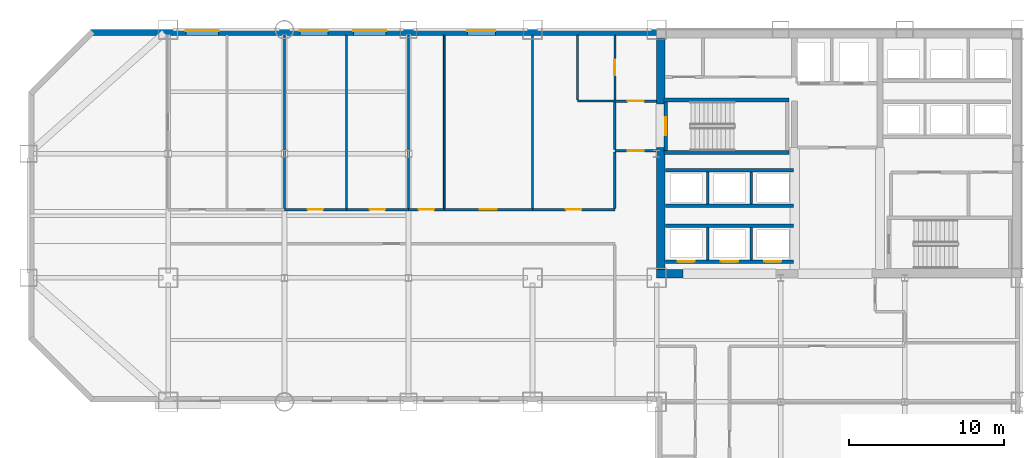
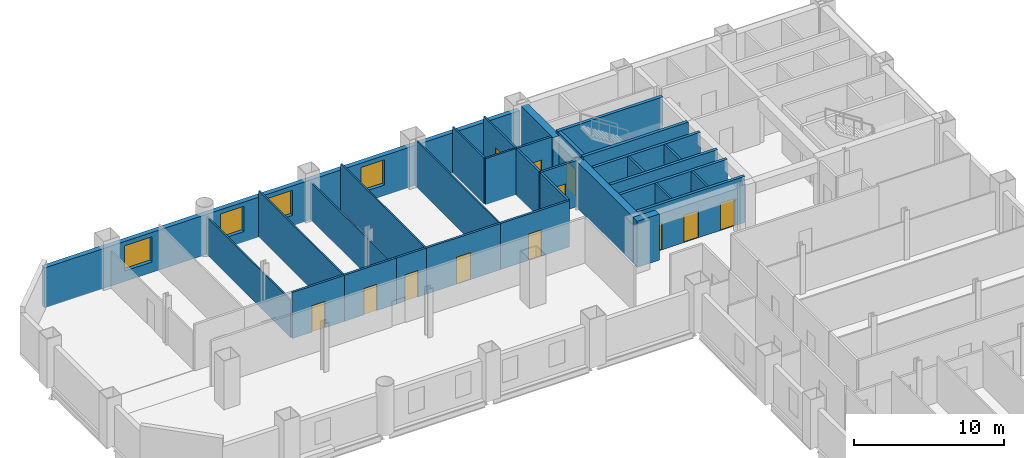
# One storey, part 6 of 9: 32 walls, 12 doors, 4 windows, 16 openings.
"""IFC4 building model written with IfcOpenShell, lengths in metres."""

from ifc_helpers import new_model, si_unit, direction, frame, frame_2d, origin, place, context, subcontext, project, spatial, rectangle, extrude, material, layer, layer_set, type_object, element, fill, save


model = new_model("IFC4")

# Units and contexts
model_context = context("Model", 3, precision=1e-05, world=origin(), true_north=direction((0.0, 1.0)))
body_context = subcontext(model_context, "Body", "Model", "MODEL_VIEW")
ifc_project = project(units=[si_unit("LENGTHUNIT", "METRE"), si_unit("AREAUNIT", "SQUARE_METRE"), si_unit("VOLUMEUNIT", "CUBIC_METRE"), si_unit("PLANEANGLEUNIT", "RADIAN"), si_unit("MASSUNIT", "GRAM", prefix="KILO")], contexts=[model_context])

# Site, building, storey
site_placement = place(None, origin())
site = spatial("IfcSite", under=ifc_project, at=site_placement, CompositionType="ELEMENT")
building_placement = place(site_placement, origin())
building = spatial("IfcBuilding", under=site, at=building_placement, Name="Qianrong Seaharbour Tower", CompositionType="ELEMENT")
storey_placement = place(building_placement, frame((0.0, 0.0, 32.199951171875)))
storey = spatial("IfcBuildingStorey", under=building, at=storey_placement, Name="L07", CompositionType="ELEMENT", Elevation=32.199951171875)

# Walls
ifc_material_1 = material(Name="Concrete C70/85", Category="concrete")
ifc_layer_1 = layer(ifc_material_1, 0.5400390625)
ifc_layer_set_1 = layer_set([ifc_layer_1], Name="Concrete C70/85")
wall_type_1 = type_object("IfcWallType", Name="WALL-CORE-540", PredefinedType="SHEAR", material=ifc_layer_set_1)
wall_1_placement = place(storey_placement, frame((40.77001953125, 36.5400390625, 0.0), z_axis=(0.0, 0.0, 1.0), x_axis=(0.0, 1.0, 0.0)))
element("IfcWall", 1, at=wall_1_placement, inside=storey, type_object=wall_type_1, Name="L07 West Core Shear Wall South", PredefinedType="SHEAR", context=body_context, shape_type="SweptSolid", body=[
    extrude(rectangle(XDim=7.85986328125, YDim=0.5400390625, at=frame_2d((3.929931640625, 0.0))), origin(), (0.0, 0.0, 1.0), 3.75),
])
wall_2_placement = place(storey_placement, frame((40.77001953125, 47.199951171875, 0.0), z_axis=(0.0, 0.0, 1.0), x_axis=(0.0, 1.0, 0.0)))
element("IfcWall", 2, at=wall_2_placement, inside=storey, type_object=wall_type_1, Name="L07 West Core Shear Wall North", PredefinedType="SHEAR", context=body_context, shape_type="SweptSolid", body=[
    extrude(rectangle(XDim=4.260009765625, YDim=0.5400390625, at=frame_2d((2.1298828125, 0.0))), origin(), (0.0, 0.0, 1.0), 3.75),
])
wall_3_placement = place(storey_placement, frame((40.5, 36.27001953125, 0.0), z_axis=(0.0, 0.0, 1.0), x_axis=(1.0, 0.0, 0.0)))
element("IfcWall", 3, at=wall_3_placement, inside=storey, type_object=wall_type_1, Name="L07 South Core Shear Wall S1", PredefinedType="SHEAR", context=body_context, shape_type="SweptSolid", body=[
    extrude(rectangle(XDim=1.699951171875, YDim=0.5400390625, at=frame_2d((0.85009765625, 0.0))), origin(), (0.0, 0.0, 1.0), 3.75),
])

# Wall, opening, door
ifc_material_2 = material(Name="Fire-rated acoustic gypsum board partition")
ifc_layer_2 = layer(ifc_material_2, 0.1650390625)
ifc_layer_set_2 = layer_set([ifc_layer_2], Name="Fire-rated acoustic gypsum board partition")
wall_type_2 = type_object("IfcWallType", Name="WALL-CORR-PART-165", PredefinedType="PARTITIONING", material=ifc_layer_set_2)
wall_4_placement = place(storey_placement, frame((37.800048828125, 47.39990234375, 0.0), z_axis=(0.0, 0.0, 1.0), x_axis=(1.0, 0.0, 0.0)))
wall_4 = element("IfcWall", 4, at=wall_4_placement, inside=storey, type_object=wall_type_2, Name="L07 Interior Partition Wall 001", PredefinedType="PARTITIONING", context=body_context, shape_type="SweptSolid", body=[
    extrude(rectangle(XDim=2.699951171875, YDim=0.1650390625, at=frame_2d((1.35009765625, 0.0))), origin(), (0.0, 0.0, 1.0), 3.75),
])
opening_1_placement = place(wall_4_placement, frame((0.824951171875, 0.0, 0.0)))
opening_1 = element("IfcOpeningElement", 5, at=opening_1_placement, cuts=wall_4, Name="Opening DC-01", PredefinedType="OPENING", context=body_context, shape_type="SweptSolid", body=[
    extrude(rectangle(XDim=1.050048828125, YDim=2.14990234375, at=frame_2d((0.52490234375, 1.074951171875))), frame((0.0, 0.092529296875, 0.0), z_axis=(0.0, -1.0, 0.0), x_axis=(1.0, 0.0, 0.0)), (0.0, 0.0, 1.0), 0.18505859375),
])
ifc_material_3 = material(Name="Acoustic timber and galvanized steel fire door assembly", Category="steel")
door_type_1 = type_object("IfcDoorType", Name="DOOR-CORR-FD60-1050x2150", OperationType="NOTDEFINED", PredefinedType="DOOR", material=ifc_material_3)
door_1_placement = place(opening_1_placement, origin())
door_1 = element("IfcDoor", 6, at=door_1_placement, inside=storey, type_object=door_type_1, Name="L07 Smokeproof Stair Vestibule ST-1 Door", OperationType="SINGLE_SWING_LEFT", OverallHeight=2.14990234375, OverallWidth=1.050048828125, PredefinedType="DOOR", context=body_context, shape_type="SweptSolid", body=[
    extrude(rectangle(XDim=1.050048828125, YDim=2.14990234375, at=frame_2d((0.52490234375, 1.074951171875))), frame((0.0, 0.02490234375, 0.0), z_axis=(0.0, -1.0, 0.0), x_axis=(1.0, 0.0, 0.0)), (0.0, 0.0, 1.0), 0.050048828125),
])
fill(opening_1, door_1)

wall_5_placement = place(storey_placement, frame((40.5, 44.199951171875, 0.0), z_axis=(0.0, 0.0, 1.0), x_axis=(-1.0, 0.0, 0.0)))
wall_5 = element("IfcWall", 7, at=wall_5_placement, inside=storey, type_object=wall_type_2, Name="L07 Interior Partition Wall 002", PredefinedType="PARTITIONING", context=body_context, shape_type="SweptSolid", body=[
    extrude(rectangle(XDim=2.699951171875, YDim=0.1650390625, at=frame_2d((1.35009765625, 0.0))), origin(), (0.0, 0.0, 1.0), 3.75),
])
opening_2_placement = place(wall_5_placement, frame((0.824951171875, 0.0, 0.0)))
opening_2 = element("IfcOpeningElement", 8, at=opening_2_placement, cuts=wall_5, Name="Opening DC-01", PredefinedType="OPENING", context=body_context, shape_type="SweptSolid", body=[
    extrude(rectangle(XDim=1.050048828125, YDim=2.14990234375, at=frame_2d((0.52490234375, 1.074951171875))), frame((0.0, 0.092529296875, 0.0), z_axis=(0.0, -1.0, 0.0), x_axis=(1.0, 0.0, 0.0)), (0.0, 0.0, 1.0), 0.18505859375),
])
door_2_placement = place(opening_2_placement, origin())
door_2 = element("IfcDoor", 9, at=door_2_placement, inside=storey, type_object=door_type_1, Name="L07 Smokeproof Stair Vestibule ST-1 Door", OperationType="SINGLE_SWING_RIGHT", OverallHeight=2.14990234375, OverallWidth=1.050048828125, PredefinedType="DOOR", context=body_context, shape_type="SweptSolid", body=[
    extrude(rectangle(XDim=1.050048828125, YDim=2.14990234375, at=frame_2d((0.52490234375, 1.074951171875))), frame((0.0, 0.02490234375, 0.0), z_axis=(0.0, -1.0, 0.0), x_axis=(1.0, 0.0, 0.0)), (0.0, 0.0, 1.0), 0.050048828125),
])
fill(opening_2, door_2)

# Wall
wall_6_placement = place(storey_placement, frame((37.800048828125, 44.2744140625, 0.0), z_axis=(0.0, 0.0, 1.0), x_axis=(0.0, 1.0, 0.0)))
element("IfcWall", 10, at=wall_6_placement, inside=storey, type_object=wall_type_2, Name="L07 Interior Partition Wall 003", PredefinedType="PARTITIONING", context=body_context, shape_type="SweptSolid", body=[
    extrude(rectangle(XDim=3.051025390625, YDim=0.1650390625, at=frame_2d((1.525390625, 0.0))), origin(), (0.0, 0.0, 1.0), 3.75),
])

# Wall, opening, door
wall_7_placement = place(storey_placement, frame((16.5, 40.39990234375, 0.0), z_axis=(0.0, 0.0, 1.0), x_axis=(1.0, 0.0, 0.0)))
wall_7 = element("IfcWall", 11, at=wall_7_placement, inside=storey, type_object=wall_type_2, Name="L07 Interior Partition Wall 018", PredefinedType="PARTITIONING", context=body_context, shape_type="SweptSolid", body=[
    extrude(rectangle(XDim=4.0, YDim=0.1650390625, at=frame_2d((2.0, 0.0))), origin(), (0.0, 0.0, 1.0), 3.75),
])
opening_3_placement = place(wall_7_placement, frame((1.5, 0.0, 0.0)))
opening_3 = element("IfcOpeningElement", 12, at=opening_3_placement, cuts=wall_7, Name="Opening DO-01", PredefinedType="OPENING", context=body_context, shape_type="SweptSolid", body=[
    extrude(rectangle(XDim=1.0, YDim=2.14990234375, at=frame_2d((0.5, 1.074951171875))), frame((0.0, 0.092529296875, 0.0), z_axis=(0.0, -1.0, 0.0), x_axis=(1.0, 0.0, 0.0)), (0.0, 0.0, 1.0), 0.18505859375),
])
door_type_2 = type_object("IfcDoorType", Name="DOOR-OFFICE-1000x2150", OperationType="NOTDEFINED", PredefinedType="DOOR", material=ifc_material_3)
door_3_placement = place(opening_3_placement, origin())
door_3 = element("IfcDoor", 13, at=door_3_placement, inside=storey, type_object=door_type_2, Name="L07 Executive Office 4 Door", OperationType="SINGLE_SWING_LEFT", OverallHeight=2.14990234375, OverallWidth=1.0, PredefinedType="DOOR", context=body_context, shape_type="SweptSolid", body=[
    extrude(rectangle(XDim=1.0, YDim=2.14990234375, at=frame_2d((0.5, 1.074951171875))), frame((0.0, 0.02490234375, 0.0), z_axis=(0.0, -1.0, 0.0), x_axis=(1.0, 0.0, 0.0)), (0.0, 0.0, 1.0), 0.050048828125),
])
fill(opening_3, door_3)

wall_8_placement = place(storey_placement, frame((20.5, 40.39990234375, 0.0), z_axis=(0.0, 0.0, 1.0), x_axis=(1.0, 0.0, 0.0)))
wall_8 = element("IfcWall", 14, at=wall_8_placement, inside=storey, type_object=wall_type_2, Name="L07 Interior Partition Wall 019", PredefinedType="PARTITIONING", context=body_context, shape_type="SweptSolid", body=[
    extrude(rectangle(XDim=4.0, YDim=0.1650390625, at=frame_2d((2.0, 0.0))), origin(), (0.0, 0.0, 1.0), 3.75),
])
opening_4_placement = place(wall_8_placement, frame((1.5, 0.0, 0.0)))
opening_4 = element("IfcOpeningElement", 15, at=opening_4_placement, cuts=wall_8, Name="Opening DO-01", PredefinedType="OPENING", context=body_context, shape_type="SweptSolid", body=[
    extrude(rectangle(XDim=1.0, YDim=2.14990234375, at=frame_2d((0.5, 1.074951171875))), frame((0.0, 0.092529296875, 0.0), z_axis=(0.0, -1.0, 0.0), x_axis=(1.0, 0.0, 0.0)), (0.0, 0.0, 1.0), 0.18505859375),
])
door_4_placement = place(opening_4_placement, origin())
door_4 = element("IfcDoor", 16, at=door_4_placement, inside=storey, type_object=door_type_2, Name="L07 Executive Office 5 Door", OperationType="SINGLE_SWING_RIGHT", OverallHeight=2.14990234375, OverallWidth=1.0, PredefinedType="DOOR", context=body_context, shape_type="SweptSolid", body=[
    extrude(rectangle(XDim=1.0, YDim=2.14990234375, at=frame_2d((0.5, 1.074951171875))), frame((0.0, 0.02490234375, 0.0), z_axis=(0.0, -1.0, 0.0), x_axis=(1.0, 0.0, 0.0)), (0.0, 0.0, 1.0), 0.050048828125),
])
fill(opening_4, door_4)

wall_9_placement = place(storey_placement, frame((24.5, 40.39990234375, 0.0), z_axis=(0.0, 0.0, 1.0), x_axis=(1.0, 0.0, 0.0)))
wall_9 = element("IfcWall", 17, at=wall_9_placement, inside=storey, type_object=wall_type_2, Name="L07 Interior Partition Wall 020", PredefinedType="PARTITIONING", context=body_context, shape_type="SweptSolid", body=[
    extrude(rectangle(XDim=2.300048828125, YDim=0.1650390625, at=frame_2d((1.14990234375, 0.0))), origin(), (0.0, 0.0, 1.0), 3.75),
])
opening_5_placement = place(wall_9_placement, frame((0.64990234375, 0.0, 0.0)))
opening_5 = element("IfcOpeningElement", 18, at=opening_5_placement, cuts=wall_9, Name="Opening DO-01", PredefinedType="OPENING", context=body_context, shape_type="SweptSolid", body=[
    extrude(rectangle(XDim=1.0, YDim=2.14990234375, at=frame_2d((0.5, 1.074951171875))), frame((0.0, 0.092529296875, 0.0), z_axis=(0.0, -1.0, 0.0), x_axis=(1.0, 0.0, 0.0)), (0.0, 0.0, 1.0), 0.18505859375),
])
door_5_placement = place(opening_5_placement, origin())
door_5 = element("IfcDoor", 19, at=door_5_placement, inside=storey, type_object=door_type_2, Name="L07 Focus Room 6 Door", OperationType="SINGLE_SWING_LEFT", OverallHeight=2.14990234375, OverallWidth=1.0, PredefinedType="DOOR", context=body_context, shape_type="SweptSolid", body=[
    extrude(rectangle(XDim=1.0, YDim=2.14990234375, at=frame_2d((0.5, 1.074951171875))), frame((0.0, 0.02490234375, 0.0), z_axis=(0.0, -1.0, 0.0), x_axis=(1.0, 0.0, 0.0)), (0.0, 0.0, 1.0), 0.050048828125),
])
fill(opening_5, door_5)

wall_10_placement = place(storey_placement, frame((26.800048828125, 40.39990234375, 0.0), z_axis=(0.0, 0.0, 1.0), x_axis=(1.0, 0.0, 0.0)))
wall_10 = element("IfcWall", 20, at=wall_10_placement, inside=storey, type_object=wall_type_2, Name="L07 Interior Partition Wall 021", PredefinedType="PARTITIONING", context=body_context, shape_type="SweptSolid", body=[
    extrude(rectangle(XDim=5.699951171875, YDim=0.1650390625, at=frame_2d((2.85009765625, 0.0))), origin(), (0.0, 0.0, 1.0), 3.75),
])
opening_6_placement = place(wall_10_placement, frame((2.300048828125, 0.0, 0.0)))
opening_6 = element("IfcOpeningElement", 21, at=opening_6_placement, cuts=wall_10, Name="Opening DM-01", PredefinedType="OPENING", context=body_context, shape_type="SweptSolid", body=[
    extrude(rectangle(XDim=1.10009765625, YDim=2.199951171875, at=frame_2d((0.550048828125, 1.10009765625))), frame((0.0, 0.092529296875, 0.0), z_axis=(0.0, -1.0, 0.0), x_axis=(1.0, 0.0, 0.0)), (0.0, 0.0, 1.0), 0.18505859375),
])
door_type_3 = type_object("IfcDoorType", Name="DOOR-MEET-1100x2200", OperationType="NOTDEFINED", PredefinedType="DOOR", material=ifc_material_3)
door_6_placement = place(opening_6_placement, origin())
door_6 = element("IfcDoor", 22, at=door_6_placement, inside=storey, type_object=door_type_3, Name="L07 Meeting Room 7 Door", OperationType="SINGLE_SWING_RIGHT", OverallHeight=2.199951171875, OverallWidth=1.10009765625, PredefinedType="DOOR", context=body_context, shape_type="SweptSolid", body=[
    extrude(rectangle(XDim=1.10009765625, YDim=2.199951171875, at=frame_2d((0.550048828125, 1.10009765625))), frame((0.0, 0.02490234375, 0.0), z_axis=(0.0, -1.0, 0.0), x_axis=(1.0, 0.0, 0.0)), (0.0, 0.0, 1.0), 0.050048828125),
])
fill(opening_6, door_6)

wall_11_placement = place(storey_placement, frame((32.5, 40.39990234375, 0.0), z_axis=(0.0, 0.0, 1.0), x_axis=(1.0, 0.0, 0.0)))
wall_11 = element("IfcWall", 23, at=wall_11_placement, inside=storey, type_object=wall_type_2, Name="L07 Interior Partition Wall 022", PredefinedType="PARTITIONING", context=body_context, shape_type="SweptSolid", body=[
    extrude(rectangle(XDim=5.300048828125, YDim=0.1650390625, at=frame_2d((2.64990234375, 0.0))), origin(), (0.0, 0.0, 1.0), 3.75),
])
opening_7_placement = place(wall_11_placement, frame((2.14990234375, 0.0, 0.0)))
opening_7 = element("IfcOpeningElement", 24, at=opening_7_placement, cuts=wall_11, Name="Opening DO-01", PredefinedType="OPENING", context=body_context, shape_type="SweptSolid", body=[
    extrude(rectangle(XDim=1.0, YDim=2.14990234375, at=frame_2d((0.5, 1.074951171875))), frame((0.0, 0.092529296875, 0.0), z_axis=(0.0, -1.0, 0.0), x_axis=(1.0, 0.0, 0.0)), (0.0, 0.0, 1.0), 0.18505859375),
])
door_7_placement = place(opening_7_placement, origin())
door_7 = element("IfcDoor", 25, at=door_7_placement, inside=storey, type_object=door_type_2, Name="L07 Executive Office 8 Door", OperationType="SINGLE_SWING_LEFT", OverallHeight=2.14990234375, OverallWidth=1.0, PredefinedType="DOOR", context=body_context, shape_type="SweptSolid", body=[
    extrude(rectangle(XDim=1.0, YDim=2.14990234375, at=frame_2d((0.5, 1.074951171875))), frame((0.0, 0.02490234375, 0.0), z_axis=(0.0, -1.0, 0.0), x_axis=(1.0, 0.0, 0.0)), (0.0, 0.0, 1.0), 0.050048828125),
])
fill(opening_7, door_7)

# Walls
wall_12_placement = place(storey_placement, frame((37.800048828125, 40.474609375, 0.0), z_axis=(0.0, 0.0, 1.0), x_axis=(0.0, 1.0, 0.0)))
element("IfcWall", 26, at=wall_12_placement, inside=storey, type_object=wall_type_2, Name="L07 Interior Partition Wall 024", PredefinedType="PARTITIONING", context=body_context, shape_type="SweptSolid", body=[
    extrude(rectangle(XDim=3.65087890625, YDim=0.1650390625, at=frame_2d((1.825439453125, 0.0))), origin(), (0.0, 0.0, 1.0), 3.75),
])
ifc_material_4 = material(Name="Demountable aluminium-framed acoustic office partition", Category="aluminium")
ifc_layer_3 = layer(ifc_material_4, 0.110107421875)
ifc_layer_set_3 = layer_set([ifc_layer_3], Name="Demountable aluminium-framed acoustic office partition")
wall_type_3 = type_object("IfcWallType", Name="WALL-DEMOUNT-110", PredefinedType="MOVABLE", material=ifc_layer_set_3)
wall_13_placement = place(storey_placement, frame((16.5, 51.64794921875, 0.0), z_axis=(0.0, 0.0, 1.0), x_axis=(0.0, -1.0, 0.0)))
element("IfcWall", 27, at=wall_13_placement, inside=storey, type_object=wall_type_3, Name="L07 Interior Partition Wall 047", PredefinedType="MOVABLE", context=body_context, shape_type="SweptSolid", body=[
    extrude(rectangle(XDim=11.17333984375, YDim=0.110107421875, at=frame_2d((5.586669921875, 0.0))), origin(), (0.0, 0.0, 1.0), 3.0419921875),
])
wall_14_placement = place(storey_placement, frame((20.5, 51.64794921875, 0.0), z_axis=(0.0, 0.0, 1.0), x_axis=(0.0, -1.0, 0.0)))
element("IfcWall", 28, at=wall_14_placement, inside=storey, type_object=wall_type_3, Name="L07 Interior Partition Wall 048", PredefinedType="MOVABLE", context=body_context, shape_type="SweptSolid", body=[
    extrude(rectangle(XDim=11.17333984375, YDim=0.110107421875, at=frame_2d((5.586669921875, 0.0))), origin(), (0.0, 0.0, 1.0), 3.75),
])
wall_15_placement = place(storey_placement, frame((24.5, 51.64794921875, 0.0), z_axis=(0.0, 0.0, 1.0), x_axis=(0.0, -1.0, 0.0)))
element("IfcWall", 29, at=wall_15_placement, inside=storey, type_object=wall_type_3, Name="L07 Interior Partition Wall 049", PredefinedType="MOVABLE", context=body_context, shape_type="SweptSolid", body=[
    extrude(rectangle(XDim=11.17333984375, YDim=0.110107421875, at=frame_2d((5.586669921875, 0.0))), origin(), (0.0, 0.0, 1.0), 3.0419921875),
])
for number, where, z_axis, x_axis, name in (
    (30, (26.800048828125, 51.64794921875, 0.0), (0.0, 0.0, 1.0), (0.0, -1.0, 0.0), "L07 Interior Partition Wall 050"),
    (31, (32.5, 51.64794921875, 0.0), (0.0, 0.0, 1.0), (0.0, -1.0, 0.0), "L07 Interior Partition Wall 051"),
):
    element("IfcWall", number, at=place(storey_placement, frame(where, z_axis=z_axis, x_axis=x_axis)), inside=storey, type_object=wall_type_3, Name=name, PredefinedType="MOVABLE", context=body_context, shape_type="SweptSolid", body=[
        extrude(rectangle(XDim=11.17333984375, YDim=0.110107421875, at=frame_2d((5.586669921875, 0.0))), origin(), (0.0, 0.0, 1.0), 3.75),
    ])

# Wall, openings, windows
ifc_material_5 = material(Name="Unitised red brick on Precast concrete C45/55", Category="masonry")
ifc_layer_4 = layer(ifc_material_5, 0.360107421875)
ifc_layer_set_4 = layer_set([ifc_layer_4], Name="Unitised red brick on Precast concrete C45/55")
wall_type_4 = type_object("IfcWallType", Name="WALL-EXT-BRICK-RED-360", PredefinedType="SOLIDWALL", material=ifc_layer_set_4)
wall_16_placement = place(storey_placement, frame((4.0, 51.820068359375, 0.0), z_axis=(0.0, 0.0, 1.0), x_axis=(1.0, 0.0, 0.0)))
wall_16 = element("IfcWall", 32, at=wall_16_placement, inside=storey, type_object=wall_type_4, Name="L07 Exterior Masonry Facade Wall NORTH_WING", PredefinedType="SOLIDWALL", context=body_context, shape_type="SweptSolid", body=[
    extrude(rectangle(XDim=36.52001953125, YDim=0.360107421875, at=frame_2d((18.260009765625, 0.0))), origin(), (0.0, 0.0, 1.0), 3.25),
])
opening_8_placement = place(wall_16_placement, frame((6.14990234375, 0.0, 0.85009765625)))
opening_8 = element("IfcOpeningElement", 33, at=opening_8_placement, cuts=wall_16, Name="Opening WN-06", PredefinedType="OPENING", context=body_context, shape_type="SweptSolid", body=[
    extrude(rectangle(XDim=2.10009765625, YDim=2.050048828125, at=frame_2d((1.050048828125, 1.02490234375))), frame((0.0, 0.18994140625, 0.0), z_axis=(0.0, -1.0, 0.0), x_axis=(1.0, 0.0, 0.0)), (0.0, 0.0, 1.0), 0.380126953125),
])
opening_9_placement = place(wall_16_placement, frame((13.5, 0.0, 0.85009765625)))
opening_9 = element("IfcOpeningElement", 34, at=opening_9_placement, cuts=wall_16, Name="Opening WN-05", PredefinedType="OPENING", context=body_context, shape_type="SweptSolid", body=[
    extrude(rectangle(XDim=1.800048828125, YDim=2.050048828125, at=frame_2d((0.89990234375, 1.02490234375))), frame((0.0, 0.18994140625, 0.0), z_axis=(0.0, -1.0, 0.0), x_axis=(1.0, 0.0, 0.0)), (0.0, 0.0, 1.0), 0.380126953125),
])
opening_10_placement = place(wall_16_placement, frame((16.949951171875, 0.0, 0.85009765625)))
opening_10 = element("IfcOpeningElement", 35, at=opening_10_placement, cuts=wall_16, Name="Opening WN-06", PredefinedType="OPENING", context=body_context, shape_type="SweptSolid", body=[
    extrude(rectangle(XDim=2.10009765625, YDim=2.050048828125, at=frame_2d((1.050048828125, 1.02490234375))), frame((0.0, 0.18994140625, 0.0), z_axis=(0.0, -1.0, 0.0), x_axis=(1.0, 0.0, 0.0)), (0.0, 0.0, 1.0), 0.380126953125),
])
opening_11_placement = place(wall_16_placement, frame((24.300048828125, 0.0, 0.85009765625)))
opening_11 = element("IfcOpeningElement", 36, at=opening_11_placement, cuts=wall_16, Name="Opening WN-05", PredefinedType="OPENING", context=body_context, shape_type="SweptSolid", body=[
    extrude(rectangle(XDim=1.800048828125, YDim=2.050048828125, at=frame_2d((0.89990234375, 1.02490234375))), frame((0.0, 0.18994140625, 0.0), z_axis=(0.0, -1.0, 0.0), x_axis=(1.0, 0.0, 0.0)), (0.0, 0.0, 1.0), 0.380126953125),
])
ifc_material_6 = material(Name="Insulated low-e double glazing in thermally broken aluminium 6063-T6 frame", Category="aluminium")
window_type_1 = type_object("IfcWindowType", Name="WIN-PUNCH-1800x2050", PartitioningType="TRIPLE_PANEL_VERTICAL", PredefinedType="WINDOW", material=ifc_material_6)
window_1_placement = place(opening_9_placement, origin())
window_1 = element("IfcWindow", 37, at=window_1_placement, inside=storey, type_object=window_type_1, Name="L07 Deep-Set Punched Window 05.04", OverallHeight=2.050048828125, OverallWidth=1.800048828125, PartitioningType="TRIPLE_PANEL_VERTICAL", PredefinedType="WINDOW", context=body_context, shape_type="SweptSolid", body=[
    extrude(rectangle(XDim=1.800048828125, YDim=2.050048828125, at=frame_2d((0.89990234375, 1.02490234375))), frame((0.0, 0.150146484375, 0.0), z_axis=(0.0, -1.0, 0.0), x_axis=(1.0, 0.0, 0.0)), (0.0, 0.0, 1.0), 0.06005859375),
])
fill(opening_9, window_1)
window_2_placement = place(opening_11_placement, origin())
window_2 = element("IfcWindow", 38, at=window_2_placement, inside=storey, type_object=window_type_1, Name="L07 Deep-Set Punched Window 05.07", OverallHeight=2.050048828125, OverallWidth=1.800048828125, PartitioningType="TRIPLE_PANEL_VERTICAL", PredefinedType="WINDOW", context=body_context, shape_type="SweptSolid", body=[
    extrude(rectangle(XDim=1.800048828125, YDim=2.050048828125, at=frame_2d((0.89990234375, 1.02490234375))), frame((0.0, 0.150146484375, 0.0), z_axis=(0.0, -1.0, 0.0), x_axis=(1.0, 0.0, 0.0)), (0.0, 0.0, 1.0), 0.06005859375),
])
fill(opening_11, window_2)
window_type_2 = type_object("IfcWindowType", Name="WIN-PUNCH-2100x2050", PartitioningType="TRIPLE_PANEL_VERTICAL", PredefinedType="WINDOW", material=ifc_material_6)
window_3_placement = place(opening_8_placement, origin())
window_3 = element("IfcWindow", 39, at=window_3_placement, inside=storey, type_object=window_type_2, Name="L07 Deep-Set Punched Window 05.02", OverallHeight=2.050048828125, OverallWidth=2.10009765625, PartitioningType="TRIPLE_PANEL_VERTICAL", PredefinedType="WINDOW", context=body_context, shape_type="SweptSolid", body=[
    extrude(rectangle(XDim=2.10009765625, YDim=2.050048828125, at=frame_2d((1.050048828125, 1.02490234375))), frame((0.0, 0.150146484375, 0.0), z_axis=(0.0, -1.0, 0.0), x_axis=(1.0, 0.0, 0.0)), (0.0, 0.0, 1.0), 0.06005859375),
])
fill(opening_8, window_3)
window_4_placement = place(opening_10_placement, origin())
window_4 = element("IfcWindow", 40, at=window_4_placement, inside=storey, type_object=window_type_2, Name="L07 Deep-Set Punched Window 05.05", OverallHeight=2.050048828125, OverallWidth=2.10009765625, PartitioningType="TRIPLE_PANEL_VERTICAL", PredefinedType="WINDOW", context=body_context, shape_type="SweptSolid", body=[
    extrude(rectangle(XDim=2.10009765625, YDim=2.050048828125, at=frame_2d((1.050048828125, 1.02490234375))), frame((0.0, 0.150146484375, 0.0), z_axis=(0.0, -1.0, 0.0), x_axis=(1.0, 0.0, 0.0)), (0.0, 0.0, 1.0), 0.06005859375),
])
fill(opening_10, window_4)

# Walls
ifc_material_7 = material(Name="Fire-rated gypsum board on steel studs", Category="steel")
ifc_layer_5 = layer(ifc_material_7, 0.14990234375)
ifc_layer_set_5 = layer_set([ifc_layer_5], Name="Fire-rated gypsum board on steel studs")
wall_type_5 = type_object("IfcWallType", Name="WALL-SHAFT-DIV-150", PredefinedType="PARTITIONING", material=ifc_layer_set_5)
for number, where, z_axis, x_axis, name in (
    (41, (43.800048828125, 37.159912109375, 0.0), (0.0, 0.0, 1.0), (0.0, 1.0, 0.0), "L07 P1 Lift Hoistway Divider 2"),
    (42, (46.60009765625, 37.159912109375, 0.0), (0.0, 0.0, 1.0), (0.0, 1.0, 0.0), "L07 P1 Lift Hoistway Divider 3"),
    (43, (43.800048828125, 40.760009765625, 0.0), (0.0, 0.0, 1.0), (0.0, 1.0, 0.0), "L07 P2 Lift Hoistway Divider 2"),
    (44, (46.60009765625, 40.760009765625, 0.0), (0.0, 0.0, 1.0), (0.0, 1.0, 0.0), "L07 P2 Lift Hoistway Divider 3"),
):
    element("IfcWall", number, at=place(storey_placement, frame(where, z_axis=z_axis, x_axis=x_axis)), inside=storey, type_object=wall_type_5, Name=name, PredefinedType="PARTITIONING", context=body_context, shape_type="SweptSolid", body=[
        extrude(rectangle(XDim=2.080078125, YDim=0.14990234375, at=frame_2d((1.0400390625, 0.0))), origin(), (0.0, 0.0, 1.0), 3.75),
    ])

# Wall, openings, doors
ifc_layer_6 = layer(ifc_material_7, 0.219970703125)
ifc_layer_set_6 = layer_set([ifc_layer_6], Name="Fire-rated gypsum board on steel studs")
wall_type_6 = type_object("IfcWallType", Name="WALL-SHAFT-GYP220", PredefinedType="PARTITIONING", material=ifc_layer_set_6)
wall_17_placement = place(storey_placement, frame((49.320068359375, 37.050048828125, 0.0), z_axis=(0.0, 0.0, 1.0), x_axis=(-1.0, 0.0, 0.0)))
wall_17 = element("IfcWall", 45, at=wall_17_placement, inside=storey, type_object=wall_type_6, Name="L07 P1 Lift Hoistway Front Wall", PredefinedType="PARTITIONING", context=body_context, shape_type="SweptSolid", body=[
    extrude(rectangle(XDim=8.239990234375, YDim=0.219970703125, at=frame_2d((4.1201171875, 0.0))), origin(), (0.0, 0.0, 1.0), 3.75),
])
opening_12_placement = place(wall_17_placement, frame((6.3701171875, 0.0, 0.0)))
opening_12 = element("IfcOpeningElement", 46, at=opening_12_placement, cuts=wall_17, Name="Opening LD-02", PredefinedType="OPENING", context=body_context, shape_type="SweptSolid", body=[
    extrude(rectangle(XDim=1.10009765625, YDim=2.199951171875, at=frame_2d((0.550048828125, 1.10009765625))), frame((0.0, 0.1201171875, 0.0), z_axis=(0.0, -1.0, 0.0), x_axis=(1.0, 0.0, 0.0)), (0.0, 0.0, 1.0), 0.239990234375),
])
opening_13_placement = place(wall_17_placement, frame((3.570068359375, 0.0, 0.0)))
opening_13 = element("IfcOpeningElement", 47, at=opening_13_placement, cuts=wall_17, Name="Opening LD-02", PredefinedType="OPENING", context=body_context, shape_type="SweptSolid", body=[
    extrude(rectangle(XDim=1.10009765625, YDim=2.199951171875, at=frame_2d((0.550048828125, 1.10009765625))), frame((0.0, 0.1201171875, 0.0), z_axis=(0.0, -1.0, 0.0), x_axis=(1.0, 0.0, 0.0)), (0.0, 0.0, 1.0), 0.239990234375),
])
opening_14_placement = place(wall_17_placement, frame((0.77001953125, 0.0, 0.0)))
opening_14 = element("IfcOpeningElement", 48, at=opening_14_placement, cuts=wall_17, Name="Opening LD-02", PredefinedType="OPENING", context=body_context, shape_type="SweptSolid", body=[
    extrude(rectangle(XDim=1.10009765625, YDim=2.199951171875, at=frame_2d((0.550048828125, 1.10009765625))), frame((0.0, 0.1201171875, 0.0), z_axis=(0.0, -1.0, 0.0), x_axis=(1.0, 0.0, 0.0)), (0.0, 0.0, 1.0), 0.239990234375),
])
ifc_material_8 = material(Name="Stainless steel SUS316L bi-parting lift landing door", Category="steel")
door_type_4 = type_object("IfcDoorType", Name="DOOR-LIFT-PASS-1100x2200", OperationType="DOUBLE_DOOR_SLIDING", PredefinedType="DOOR", material=ifc_material_8)
door_8_placement = place(opening_12_placement, origin())
door_8 = element("IfcDoor", 49, at=door_8_placement, inside=storey, type_object=door_type_4, Name="L07 PL-1A Lift Landing Door", OperationType="DOUBLE_DOOR_SLIDING", OverallHeight=2.199951171875, OverallWidth=1.10009765625, PredefinedType="DOOR", context=body_context, shape_type="SweptSolid", body=[
    extrude(rectangle(XDim=1.10009765625, YDim=2.199951171875, at=frame_2d((0.550048828125, 1.10009765625))), frame((0.0, 0.02490234375, 0.0), z_axis=(0.0, -1.0, 0.0), x_axis=(1.0, 0.0, 0.0)), (0.0, 0.0, 1.0), 0.050048828125),
])
fill(opening_12, door_8)
door_9_placement = place(opening_13_placement, origin())
door_9 = element("IfcDoor", 50, at=door_9_placement, inside=storey, type_object=door_type_4, Name="L07 PL-1B Lift Landing Door", OperationType="DOUBLE_DOOR_SLIDING", OverallHeight=2.199951171875, OverallWidth=1.10009765625, PredefinedType="DOOR", context=body_context, shape_type="SweptSolid", body=[
    extrude(rectangle(XDim=1.10009765625, YDim=2.199951171875, at=frame_2d((0.550048828125, 1.10009765625))), frame((0.0, 0.02490234375, 0.0), z_axis=(0.0, -1.0, 0.0), x_axis=(1.0, 0.0, 0.0)), (0.0, 0.0, 1.0), 0.050048828125),
])
fill(opening_13, door_9)
door_10_placement = place(opening_14_placement, origin())
door_10 = element("IfcDoor", 51, at=door_10_placement, inside=storey, type_object=door_type_4, Name="L07 PL-1C Lift Landing Door", OperationType="DOUBLE_DOOR_SLIDING", OverallHeight=2.199951171875, OverallWidth=1.10009765625, PredefinedType="DOOR", context=body_context, shape_type="SweptSolid", body=[
    extrude(rectangle(XDim=1.10009765625, YDim=2.199951171875, at=frame_2d((0.550048828125, 1.10009765625))), frame((0.0, 0.02490234375, 0.0), z_axis=(0.0, -1.0, 0.0), x_axis=(1.0, 0.0, 0.0)), (0.0, 0.0, 1.0), 0.050048828125),
])
fill(opening_14, door_10)

# Walls
for number, where, z_axis, x_axis, name in (
    (52, (41.080078125, 39.35009765625, 0.0), (0.0, 0.0, 1.0), (1.0, 0.0, 0.0), "L07 P1 Lift Hoistway Back Wall"),
    (53, (49.320068359375, 40.64990234375, 0.0), (0.0, 0.0, 1.0), (-1.0, 0.0, 0.0), "L07 P2 Lift Hoistway Front Wall"),
    (54, (41.080078125, 42.949951171875, 0.0), (0.0, 0.0, 1.0), (1.0, 0.0, 0.0), "L07 P2 Lift Hoistway Back Wall"),
):
    element("IfcWall", number, at=place(storey_placement, frame(where, z_axis=z_axis, x_axis=x_axis)), inside=storey, type_object=wall_type_6, Name=name, PredefinedType="PARTITIONING", context=body_context, shape_type="SweptSolid", body=[
        extrude(rectangle(XDim=8.239990234375, YDim=0.219970703125, at=frame_2d((4.1201171875, 0.0))), origin(), (0.0, 0.0, 1.0), 3.75),
    ])
ifc_material_9 = material(Name="Concrete C50/60", Category="concrete")
ifc_layer_7 = layer(ifc_material_9, 0.239990234375)
ifc_layer_set_7 = layer_set([ifc_layer_7], Name="Concrete C50/60")
wall_type_7 = type_object("IfcWallType", Name="WALL-SHAFT-RC240", PredefinedType="SOLIDWALL", material=ifc_layer_set_7)
for number, where, z_axis, x_axis, name in (
    (55, (40.9599609375, 47.469970703125, 0.0), (0.0, 0.0, 1.0), (1.0, 0.0, 0.0), "L07 ST-1 Structural Stair Core Wall N"),
    (56, (49.0400390625, 44.080078125, 0.0), (0.0, 0.0, 1.0), (-1.0, 0.0, 0.0), "L07 ST-1 Structural Stair Core Wall S"),
):
    element("IfcWall", number, at=place(storey_placement, frame(where, z_axis=z_axis, x_axis=x_axis)), inside=storey, type_object=wall_type_7, Name=name, PredefinedType="SOLIDWALL", context=body_context, shape_type="SweptSolid", body=[
        extrude(rectangle(XDim=8.080078125, YDim=0.239990234375, at=frame_2d((4.0400390625, 0.0))), origin(), (0.0, 0.0, 1.0), 4.0),
    ])

# Wall, opening, door
wall_18_placement = place(storey_placement, frame((41.080078125, 47.35009765625, 0.0), z_axis=(0.0, 0.0, 1.0), x_axis=(0.0, -1.0, 0.0)))
wall_18 = element("IfcWall", 57, at=wall_18_placement, inside=storey, type_object=wall_type_7, Name="L07 ST-1 Structural Stair Core Wall W", PredefinedType="SOLIDWALL", context=body_context, shape_type="SweptSolid", body=[
    extrude(rectangle(XDim=3.150146484375, YDim=0.239990234375, at=frame_2d((1.5751953125, 0.0))), origin(), (0.0, 0.0, 1.0), 4.0),
])
opening_15_placement = place(wall_18_placement, frame((1.0, 0.0, 0.0)))
opening_15 = element("IfcOpeningElement", 58, at=opening_15_placement, cuts=wall_18, Name="Opening SD-01", PredefinedType="OPENING", context=body_context, shape_type="SweptSolid", body=[
    extrude(rectangle(XDim=1.14990234375, YDim=2.199951171875, at=frame_2d((0.574951171875, 1.10009765625))), frame((0.0, 0.1298828125, 0.0), z_axis=(0.0, -1.0, 0.0), x_axis=(1.0, 0.0, 0.0)), (0.0, 0.0, 1.0), 0.260009765625),
])
door_type_5 = type_object("IfcDoorType", Name="DOOR-STAIR-FD60-1150x2200", OperationType="NOTDEFINED", PredefinedType="DOOR", material=ifc_material_3)
door_11_placement = place(opening_15_placement, origin())
door_11 = element("IfcDoor", 59, at=door_11_placement, inside=storey, type_object=door_type_5, Name="L07 ST-1 Protected Stair Door", OperationType="SINGLE_SWING_RIGHT", OverallHeight=2.199951171875, OverallWidth=1.14990234375, PredefinedType="DOOR", context=body_context, shape_type="SweptSolid", body=[
    extrude(rectangle(XDim=1.14990234375, YDim=2.199951171875, at=frame_2d((0.574951171875, 1.10009765625))), frame((0.0, 0.02490234375, 0.0), z_axis=(0.0, -1.0, 0.0), x_axis=(1.0, 0.0, 0.0)), (0.0, 0.0, 1.0), 0.050048828125),
])
fill(opening_15, door_11)

ifc_material_10 = material(Name="Water-resistant cement board sanitary partition")
ifc_layer_8 = layer(ifc_material_10, 0.1298828125)
ifc_layer_set_8 = layer_set([ifc_layer_8], Name="Water-resistant cement board sanitary partition")
wall_type_8 = type_object("IfcWallType", Name="WALL-WET-PART-130", PredefinedType="PARTITIONING", material=ifc_layer_set_8)
wall_19_placement = place(storey_placement, frame((37.800048828125, 47.474609375, 0.0), z_axis=(0.0, 0.0, 1.0), x_axis=(0.0, 1.0, 0.0)))
wall_19 = element("IfcWall", 60, at=wall_19_placement, inside=storey, type_object=wall_type_8, Name="L07 Interior Partition Wall 004", PredefinedType="PARTITIONING", context=body_context, shape_type="SweptSolid", body=[
    extrude(rectangle(XDim=4.17333984375, YDim=0.1298828125, at=frame_2d((2.086669921875, 0.0))), origin(), (0.0, 0.0, 1.0), 3.75),
])
opening_16_placement = place(wall_19_placement, frame((1.57666015625, 0.0, 0.0)))
opening_16 = element("IfcOpeningElement", 61, at=opening_16_placement, cuts=wall_19, Name="Opening DAW-01", PredefinedType="OPENING", context=body_context, shape_type="SweptSolid", body=[
    extrude(rectangle(XDim=1.02001953125, YDim=2.14990234375, at=frame_2d((0.510009765625, 1.074951171875))), frame((0.0, 0.074951171875, 0.0), z_axis=(0.0, -1.0, 0.0), x_axis=(1.0, 0.0, 0.0)), (0.0, 0.0, 1.0), 0.14990234375),
])
door_type_6 = type_object("IfcDoorType", Name="DOOR-AWC-SLIDE-1020x2150", OperationType="SLIDING_TO_LEFT", PredefinedType="DOOR", material=ifc_material_3)
door_12_placement = place(opening_16_placement, origin())
door_12 = element("IfcDoor", 62, at=door_12_placement, inside=storey, type_object=door_type_6, Name="L07 Accessible Restroom WC Door", OperationType="SLIDING_TO_LEFT", OverallHeight=2.14990234375, OverallWidth=1.02001953125, PredefinedType="DOOR", context=body_context, shape_type="SweptSolid", body=[
    extrude(rectangle(XDim=1.02001953125, YDim=2.14990234375, at=frame_2d((0.510009765625, 1.074951171875))), frame((0.0, 0.02490234375, 0.0), z_axis=(0.0, -1.0, 0.0), x_axis=(1.0, 0.0, 0.0)), (0.0, 0.0, 1.0), 0.050048828125),
])
fill(opening_16, door_12)

# Walls
wall_20_placement = place(storey_placement, frame((37.800048828125, 47.39990234375, 0.0), z_axis=(0.0, 0.0, 1.0), x_axis=(-1.0, 0.0, 0.0)))
element("IfcWall", 63, at=wall_20_placement, inside=storey, type_object=wall_type_8, Name="L07 Interior Partition Wall 005", PredefinedType="PARTITIONING", context=body_context, shape_type="SweptSolid", body=[
    extrude(rectangle(XDim=2.400146484375, YDim=0.1298828125, at=frame_2d((1.2001953125, 0.0))), origin(), (0.0, 0.0, 1.0), 3.75),
])
wall_21_placement = place(storey_placement, frame((35.39990234375, 47.45703125, 0.0), z_axis=(0.0, 0.0, 1.0), x_axis=(0.0, 1.0, 0.0)))
element("IfcWall", 64, at=wall_21_placement, inside=storey, type_object=wall_type_8, Name="L07 Interior Partition Wall 006", PredefinedType="PARTITIONING", context=body_context, shape_type="SweptSolid", body=[
    extrude(rectangle(XDim=4.19091796875, YDim=0.1298828125, at=frame_2d((2.095458984375, 0.0))), origin(), (0.0, 0.0, 1.0), 3.75),
])

save(model, "model.ifc")
